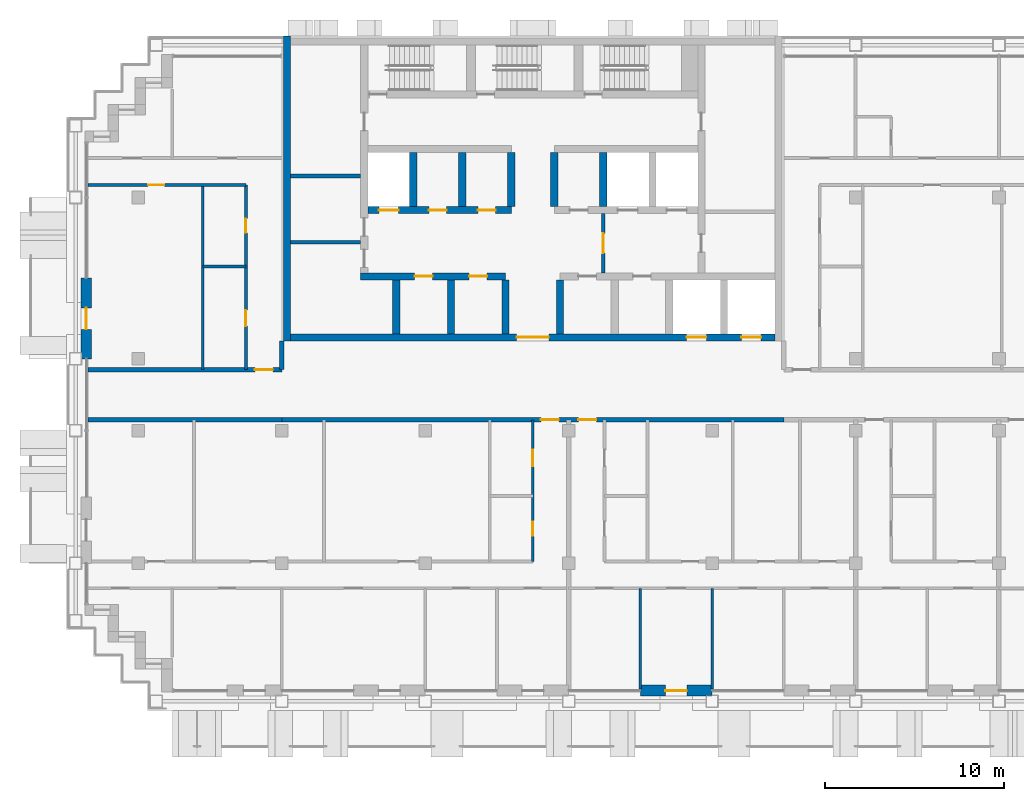
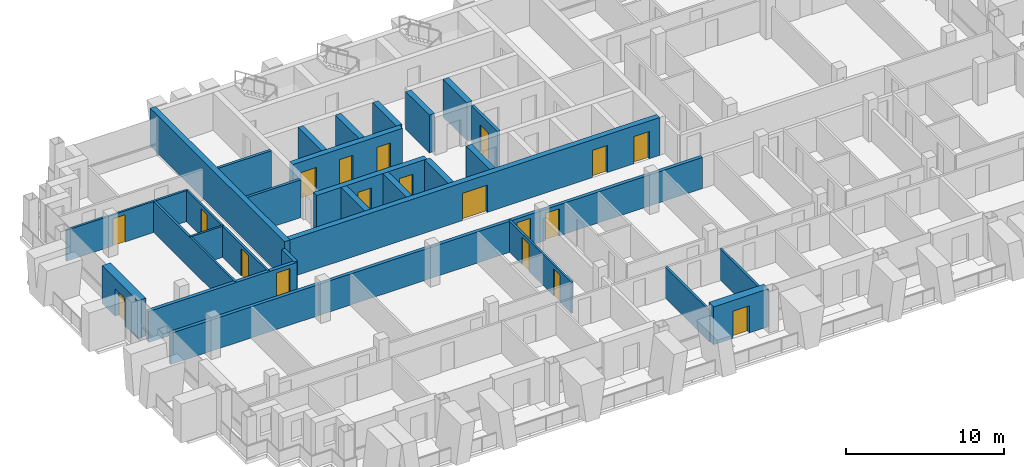
# One storey, part 8 of 16: 29 walls, 19 doors, 19 openings.
"""IFC4 building model written with IfcOpenShell, lengths in metres."""

from ifc_helpers import new_model, si_unit, direction, frame, frame_2d, origin, place, context, subcontext, project, spatial, rectangle, extrude, material, layer, layer_set, type_object, element, fill, save


model = new_model("IFC4")

# Units and contexts
model_context = context("Model", 3, precision=1e-05, world=origin(), true_north=direction((0.0, 1.0)))
body_context = subcontext(model_context, "Body", "Model", "MODEL_VIEW")
ifc_project = project(units=[si_unit("LENGTHUNIT", "METRE"), si_unit("AREAUNIT", "SQUARE_METRE"), si_unit("VOLUMEUNIT", "CUBIC_METRE"), si_unit("PLANEANGLEUNIT", "RADIAN"), si_unit("MASSUNIT", "GRAM", prefix="KILO")], contexts=[model_context])

# Site, building, storey
site_placement = place(None, origin())
site = spatial("IfcSite", under=ifc_project, at=site_placement, CompositionType="ELEMENT")
building_placement = place(site_placement, origin())
building = spatial("IfcBuilding", under=site, at=building_placement, Name="Vidyagriha Tower", CompositionType="ELEMENT")
storey_placement = place(building_placement, frame((0.0, 0.0, 181.300048828125)))
storey = spatial("IfcBuildingStorey", under=building, at=storey_placement, Name="L47", CompositionType="ELEMENT", Elevation=181.300048828125)

# Wall, opening, door
ifc_material_1 = material(Name="Precast concrete C40/50 with brick facing", Category="concrete")
ifc_layer_1 = layer(ifc_material_1, 0.60009765625)
ifc_layer_set_1 = layer_set([ifc_layer_1], Name="Precast concrete C40/50 with brick facing")
wall_type_1 = type_object("IfcWallType", Name="Brick-faced precast wall 600", PredefinedType="STANDARD", material=ifc_layer_set_1)
wall_1_placement = place(storey_placement, frame((-24.89990234375, 6.5, 0.0), z_axis=(0.0, 0.0, 1.0), x_axis=(0.0, -1.0, 0.0)))
wall_1 = element("IfcWall", 1, at=wall_1_placement, inside=storey, type_object=wall_type_1, Name="Brick door bay wall L47 R16.3", PredefinedType="STANDARD", context=body_context, shape_type="SweptSolid", body=[
    extrude(rectangle(XDim=4.5, YDim=0.60009765625, at=frame_2d((2.25, 0.0))), origin(), (0.0, 0.0, 1.0), 2.919921875),
])
opening_1_placement = place(wall_1_placement, frame((1.64990234375, 0.0, 0.0)))
opening_1 = element("IfcOpeningElement", 2, at=opening_1_placement, cuts=wall_1, Name="Opening D47-69", PredefinedType="OPENING", context=body_context, shape_type="SweptSolid", body=[
    extrude(rectangle(XDim=1.199951171875, YDim=2.10009765625, at=frame_2d((0.60009765625, 1.050048828125))), frame((0.0, 0.31005859375, 0.0), z_axis=(0.0, -1.0, 0.0), x_axis=(1.0, 0.0, 0.0)), (0.0, 0.0, 1.0), 0.6201171875),
])
ifc_material_2 = material(Name="Aluminium framed glazed sliding door", Category="aluminium")
door_type_1 = type_object("IfcDoorType", Name="Balcony sliding door 1200x2100", OperationType="NOTDEFINED", PredefinedType="DOOR", material=ifc_material_2)
door_1_placement = place(opening_1_placement, origin())
door_1 = element("IfcDoor", 3, at=door_1_placement, inside=storey, type_object=door_type_1, Name="Door D47-69", OperationType="SLIDING_TO_LEFT", OverallHeight=2.10009765625, OverallWidth=1.199951171875, PredefinedType="DOOR", context=body_context, shape_type="SweptSolid", body=[
    extrude(rectangle(XDim=1.199951171875, YDim=2.10009765625, at=frame_2d((0.60009765625, 1.050048828125))), frame((0.0, 0.02490234375, 0.0), z_axis=(0.0, -1.0, 0.0), x_axis=(1.0, 0.0, 0.0)), (0.0, 0.0, 1.0), 0.050048828125),
])
fill(opening_1, door_1)

wall_2_placement = place(storey_placement, frame((6.0, -16.5, 0.0)))
wall_2 = element("IfcWall", 4, at=wall_2_placement, inside=storey, type_object=wall_type_1, Name="Brick door bay wall L47 R23.8", PredefinedType="STANDARD", context=body_context, shape_type="SweptSolid", body=[
    extrude(rectangle(XDim=4.0, YDim=0.60009765625, at=frame_2d((2.0, 0.0))), origin(), (0.0, 0.0, 1.0), 2.919921875),
])
opening_2_placement = place(wall_2_placement, frame((1.39990234375, 0.0, 0.0)))
opening_2 = element("IfcOpeningElement", 5, at=opening_2_placement, cuts=wall_2, Name="Opening D47-74", PredefinedType="OPENING", context=body_context, shape_type="SweptSolid", body=[
    extrude(rectangle(XDim=1.199951171875, YDim=2.10009765625, at=frame_2d((0.60009765625, 1.050048828125))), frame((0.0, 0.31005859375, 0.0), z_axis=(0.0, -1.0, 0.0), x_axis=(1.0, 0.0, 0.0)), (0.0, 0.0, 1.0), 0.6201171875),
])
door_2_placement = place(opening_2_placement, origin())
door_2 = element("IfcDoor", 6, at=door_2_placement, inside=storey, type_object=door_type_1, Name="Door D47-74", OperationType="SLIDING_TO_LEFT", OverallHeight=2.10009765625, OverallWidth=1.199951171875, PredefinedType="DOOR", context=body_context, shape_type="SweptSolid", body=[
    extrude(rectangle(XDim=1.199951171875, YDim=2.10009765625, at=frame_2d((0.60009765625, 1.050048828125))), frame((0.0, 0.02490234375, 0.0), z_axis=(0.0, -1.0, 0.0), x_axis=(1.0, 0.0, 0.0)), (0.0, 0.0, 1.0), 0.050048828125),
])
fill(opening_2, door_2)

# Wall
ifc_material_3 = material(Name="Concrete C60/75", Category="concrete")
ifc_layer_2 = layer(ifc_material_3, 0.39990234375)
ifc_layer_set_2 = layer_set([ifc_layer_2], Name="Concrete C60/75")
wall_type_2 = type_object("IfcWallType", Name="Core shear wall 400 mm", PredefinedType="SHEAR", material=ifc_layer_set_2)
wall_3_placement = place(storey_placement, frame((-13.699951171875, 3.0, 0.0), z_axis=(0.0, 0.0, 1.0), x_axis=(0.0, 1.0, 0.0)))
element("IfcWall", 7, at=wall_3_placement, inside=storey, type_object=wall_type_2, Name="Core west wall", PredefinedType="SHEAR", context=body_context, shape_type="SweptSolid", body=[
    extrude(rectangle(XDim=17.0, YDim=0.39990234375, at=frame_2d((8.5, 0.0))), origin(), (0.0, 0.0, 1.0), 2.919921875),
])

# Wall, openings, doors
wall_4_placement = place(storey_placement, frame((-13.5, 3.199951171875, 0.0)))
wall_4 = element("IfcWall", 8, at=wall_4_placement, inside=storey, type_object=wall_type_2, Name="Core front wall", PredefinedType="SHEAR", context=body_context, shape_type="SweptSolid", body=[
    extrude(rectangle(XDim=27.0, YDim=0.39990234375, at=frame_2d((13.5, 0.0))), origin(), (0.0, 0.0, 1.0), 2.919921875),
])
opening_3_placement = place(wall_4_placement, frame((22.083251953125, 0.0, 0.0)))
opening_3 = element("IfcOpeningElement", 9, at=opening_3_placement, cuts=wall_4, Name="Opening LD47-01", PredefinedType="OPENING", context=body_context, shape_type="SweptSolid", body=[
    extrude(rectangle(XDim=1.10009765625, YDim=2.10009765625, at=frame_2d((0.550048828125, 1.050048828125))), frame((0.0, 0.2099609375, 0.0), z_axis=(0.0, -1.0, 0.0), x_axis=(1.0, 0.0, 0.0)), (0.0, 0.0, 1.0), 0.419921875),
])
opening_4_placement = place(wall_4_placement, frame((25.127685546875, 0.0, 0.0)))
opening_4 = element("IfcOpeningElement", 10, at=opening_4_placement, cuts=wall_4, Name="Opening LD47-02", PredefinedType="OPENING", context=body_context, shape_type="SweptSolid", body=[
    extrude(rectangle(XDim=1.10009765625, YDim=2.10009765625, at=frame_2d((0.550048828125, 1.050048828125))), frame((0.0, 0.2099609375, 0.0), z_axis=(0.0, -1.0, 0.0), x_axis=(1.0, 0.0, 0.0)), (0.0, 0.0, 1.0), 0.419921875),
])
opening_5_placement = place(wall_4_placement, frame((12.60009765625, 0.0, 0.0)))
opening_5 = element("IfcOpeningElement", 11, at=opening_5_placement, cuts=wall_4, Name="Opening D47-01", PredefinedType="OPENING", context=body_context, shape_type="SweptSolid", body=[
    extrude(rectangle(XDim=1.800048828125, YDim=2.10009765625, at=frame_2d((0.89990234375, 1.050048828125))), frame((0.0, 0.2099609375, 0.0), z_axis=(0.0, -1.0, 0.0), x_axis=(1.0, 0.0, 0.0)), (0.0, 0.0, 1.0), 0.419921875),
])
ifc_material_4 = material(Name="Hollow metal door leaf")
door_type_2 = type_object("IfcDoorType", Name="Core lobby double door 1800 x 2100 mm EI 60", OperationType="NOTDEFINED", PredefinedType="DOOR", material=ifc_material_4)
door_3_placement = place(opening_5_placement, frame((1.800048828125, 0.0, 0.0), z_axis=(0.0, 0.0, 1.0), x_axis=(-1.0, 0.0, 0.0)))
door_3 = element("IfcDoor", 12, at=door_3_placement, inside=storey, type_object=door_type_2, Name="Core entrance door L47", OperationType="DOUBLE_DOOR_SINGLE_SWING", OverallHeight=2.10009765625, OverallWidth=1.800048828125, PredefinedType="DOOR", context=body_context, shape_type="SweptSolid", body=[
    extrude(rectangle(XDim=1.800048828125, YDim=2.10009765625, at=frame_2d((0.89990234375, 1.050048828125))), frame((0.0, 0.02490234375, 0.0), z_axis=(0.0, -1.0, 0.0), x_axis=(1.0, 0.0, 0.0)), (0.0, 0.0, 1.0), 0.050048828125),
])
fill(opening_5, door_3)
ifc_material_5 = material(Name="Stainless steel sliding door panel", Category="steel")
door_type_3 = type_object("IfcDoorType", Name="Lift landing door 1100 x 2100 mm EI 90", OperationType="NOTDEFINED", PredefinedType="DOOR", material=ifc_material_5)
door_4_placement = place(opening_3_placement, origin())
door_4 = element("IfcDoor", 13, at=door_4_placement, inside=storey, type_object=door_type_3, Name="Landing door MR1 L47", OperationType="SLIDING_TO_LEFT", OverallHeight=2.10009765625, OverallWidth=1.10009765625, PredefinedType="DOOR", context=body_context, shape_type="SweptSolid", body=[
    extrude(rectangle(XDim=1.10009765625, YDim=2.10009765625, at=frame_2d((0.550048828125, 1.050048828125))), frame((0.0, 0.02490234375, 0.0), z_axis=(0.0, -1.0, 0.0), x_axis=(1.0, 0.0, 0.0)), (0.0, 0.0, 1.0), 0.050048828125),
])
fill(opening_3, door_4)
door_5_placement = place(opening_4_placement, origin())
door_5 = element("IfcDoor", 14, at=door_5_placement, inside=storey, type_object=door_type_3, Name="Landing door MR2 L47", OperationType="SLIDING_TO_LEFT", OverallHeight=2.10009765625, OverallWidth=1.10009765625, PredefinedType="DOOR", context=body_context, shape_type="SweptSolid", body=[
    extrude(rectangle(XDim=1.10009765625, YDim=2.10009765625, at=frame_2d((0.550048828125, 1.050048828125))), frame((0.0, 0.02490234375, 0.0), z_axis=(0.0, -1.0, 0.0), x_axis=(1.0, 0.0, 0.0)), (0.0, 0.0, 1.0), 0.050048828125),
])
fill(opening_4, door_5)

wall_5_placement = place(storey_placement, frame((-9.60009765625, 6.60009765625, 0.0)))
wall_5 = element("IfcWall", 15, at=wall_5_placement, inside=storey, type_object=wall_type_2, Name="Core lobby south wall west", PredefinedType="SHEAR", context=body_context, shape_type="SweptSolid", body=[
    extrude(rectangle(XDim=8.077880859375, YDim=0.39990234375, at=frame_2d((4.0390625, 0.0))), origin(), (0.0, 0.0, 1.0), 2.919921875),
])
opening_6_placement = place(wall_5_placement, frame((3.010986328125, 0.0, 0.0)))
opening_6 = element("IfcOpeningElement", 16, at=opening_6_placement, cuts=wall_5, Name="Opening D47-02", PredefinedType="OPENING", context=body_context, shape_type="SweptSolid", body=[
    extrude(rectangle(XDim=1.0, YDim=2.10009765625, at=frame_2d((0.5, 1.050048828125))), frame((0.0, 0.2099609375, 0.0), z_axis=(0.0, -1.0, 0.0), x_axis=(1.0, 0.0, 0.0)), (0.0, 0.0, 1.0), 0.419921875),
])
opening_7_placement = place(wall_5_placement, frame((6.0556640625, 0.0, 0.0)))
opening_7 = element("IfcOpeningElement", 17, at=opening_7_placement, cuts=wall_5, Name="Opening D47-03", PredefinedType="OPENING", context=body_context, shape_type="SweptSolid", body=[
    extrude(rectangle(XDim=1.0, YDim=2.10009765625, at=frame_2d((0.5, 1.050048828125))), frame((0.0, 0.2099609375, 0.0), z_axis=(0.0, -1.0, 0.0), x_axis=(1.0, 0.0, 0.0)), (0.0, 0.0, 1.0), 0.419921875),
])
ifc_material_6 = material(Name="Hollow metal door leaf")
door_type_4 = type_object("IfcDoorType", Name="Core room door 1000 x 2100 mm EI 60", OperationType="NOTDEFINED", PredefinedType="DOOR", material=ifc_material_6)
door_6_placement = place(opening_6_placement, origin())
door_6 = element("IfcDoor", 18, at=door_6_placement, inside=storey, type_object=door_type_4, Name="Door Pressurisation Plant Room 47.01", OperationType="SINGLE_SWING_RIGHT", OverallHeight=2.10009765625, OverallWidth=1.0, PredefinedType="DOOR", context=body_context, shape_type="SweptSolid", body=[
    extrude(rectangle(XDim=1.0, YDim=2.10009765625, at=frame_2d((0.5, 1.050048828125))), frame((0.0, 0.02490234375, 0.0), z_axis=(0.0, -1.0, 0.0), x_axis=(1.0, 0.0, 0.0)), (0.0, 0.0, 1.0), 0.050048828125),
])
fill(opening_6, door_6)
door_7_placement = place(opening_7_placement, origin())
door_7 = element("IfcDoor", 19, at=door_7_placement, inside=storey, type_object=door_type_4, Name="Door Pressurisation Plant Room 47.02", OperationType="SINGLE_SWING_RIGHT", OverallHeight=2.10009765625, OverallWidth=1.0, PredefinedType="DOOR", context=body_context, shape_type="SweptSolid", body=[
    extrude(rectangle(XDim=1.0, YDim=2.10009765625, at=frame_2d((0.5, 1.050048828125))), frame((0.0, 0.02490234375, 0.0), z_axis=(0.0, -1.0, 0.0), x_axis=(1.0, 0.0, 0.0)), (0.0, 0.0, 1.0), 0.050048828125),
])
fill(opening_7, door_7)

# Walls
for number, where, z_axis, x_axis, name in (
    (20, (-7.611083984375, 3.39990234375, 0.0), (0.0, 0.0, 1.0), (0.0, 1.0, 0.0), "Core bay wall S2"),
    (21, (-4.566650390625, 3.39990234375, 0.0), (0.0, 0.0, 1.0), (0.0, 1.0, 0.0), "Core bay wall S3"),
    (22, (-1.522216796875, 3.39990234375, 0.0), (0.0, 0.0, 1.0), (0.0, 1.0, 0.0), "Core bay wall S4"),
    (23, (1.522216796875, 3.39990234375, 0.0), (0.0, 0.0, 1.0), (0.0, 1.0, 0.0), "Core bay wall S5"),
):
    element("IfcWall", number, at=place(storey_placement, frame(where, z_axis=z_axis, x_axis=x_axis)), inside=storey, type_object=wall_type_2, Name=name, PredefinedType="SHEAR", context=body_context, shape_type="SweptSolid", body=[
        extrude(rectangle(XDim=3.0, YDim=0.39990234375, at=frame_2d((1.5, 0.0))), origin(), (0.0, 0.0, 1.0), 2.919921875),
    ])

# Wall, openings, doors
wall_6_placement = place(storey_placement, frame((-9.199951171875, 10.300048828125, 0.0)))
wall_6 = element("IfcWall", 24, at=wall_6_placement, inside=storey, type_object=wall_type_2, Name="Core row N front wall", PredefinedType="SHEAR", context=body_context, shape_type="SweptSolid", body=[
    extrude(rectangle(XDim=8.0, YDim=0.39990234375, at=frame_2d((4.0, 0.0))), origin(), (0.0, 0.0, 1.0), 2.919921875),
])
opening_8_placement = place(wall_6_placement, frame((0.61669921875, 0.0, 0.0)))
opening_8 = element("IfcOpeningElement", 25, at=opening_8_placement, cuts=wall_6, Name="Opening LD47-03", PredefinedType="OPENING", context=body_context, shape_type="SweptSolid", body=[
    extrude(rectangle(XDim=1.10009765625, YDim=2.10009765625, at=frame_2d((0.550048828125, 1.050048828125))), frame((0.0, 0.2099609375, 0.0), z_axis=(0.0, -1.0, 0.0), x_axis=(1.0, 0.0, 0.0)), (0.0, 0.0, 1.0), 0.419921875),
])
opening_9_placement = place(wall_6_placement, frame((3.39990234375, 0.0, 0.0)))
opening_9 = element("IfcOpeningElement", 26, at=opening_9_placement, cuts=wall_6, Name="Opening D47-06", PredefinedType="OPENING", context=body_context, shape_type="SweptSolid", body=[
    extrude(rectangle(XDim=1.0, YDim=2.10009765625, at=frame_2d((0.5, 1.050048828125))), frame((0.0, 0.2099609375, 0.0), z_axis=(0.0, -1.0, 0.0), x_axis=(1.0, 0.0, 0.0)), (0.0, 0.0, 1.0), 0.419921875),
])
opening_10_placement = place(wall_6_placement, frame((6.13330078125, 0.0, 0.0)))
opening_10 = element("IfcOpeningElement", 27, at=opening_10_placement, cuts=wall_6, Name="Opening D47-07", PredefinedType="OPENING", context=body_context, shape_type="SweptSolid", body=[
    extrude(rectangle(XDim=1.0, YDim=2.10009765625, at=frame_2d((0.5, 1.050048828125))), frame((0.0, 0.2099609375, 0.0), z_axis=(0.0, -1.0, 0.0), x_axis=(1.0, 0.0, 0.0)), (0.0, 0.0, 1.0), 0.419921875),
])
door_8_placement = place(opening_9_placement, frame((1.0, 0.0, 0.0), z_axis=(0.0, 0.0, 1.0), x_axis=(-1.0, 0.0, 0.0)))
door_8 = element("IfcDoor", 28, at=door_8_placement, inside=storey, type_object=door_type_4, Name="Door Communications Room 47.14", OperationType="SINGLE_SWING_RIGHT", OverallHeight=2.10009765625, OverallWidth=1.0, PredefinedType="DOOR", context=body_context, shape_type="SweptSolid", body=[
    extrude(rectangle(XDim=1.0, YDim=2.10009765625, at=frame_2d((0.5, 1.050048828125))), frame((0.0, 0.02490234375, 0.0), z_axis=(0.0, -1.0, 0.0), x_axis=(1.0, 0.0, 0.0)), (0.0, 0.0, 1.0), 0.050048828125),
])
fill(opening_9, door_8)
door_9_placement = place(opening_10_placement, frame((1.0, 0.0, 0.0), z_axis=(0.0, 0.0, 1.0), x_axis=(-1.0, 0.0, 0.0)))
door_9 = element("IfcDoor", 29, at=door_9_placement, inside=storey, type_object=door_type_4, Name="Door Refuse Room 47.15", OperationType="SINGLE_SWING_LEFT", OverallHeight=2.10009765625, OverallWidth=1.0, PredefinedType="DOOR", context=body_context, shape_type="SweptSolid", body=[
    extrude(rectangle(XDim=1.0, YDim=2.10009765625, at=frame_2d((0.5, 1.050048828125))), frame((0.0, 0.02490234375, 0.0), z_axis=(0.0, -1.0, 0.0), x_axis=(1.0, 0.0, 0.0)), (0.0, 0.0, 1.0), 0.050048828125),
])
fill(opening_10, door_9)
door_10_placement = place(opening_8_placement, origin())
door_10 = element("IfcDoor", 30, at=door_10_placement, inside=storey, type_object=door_type_3, Name="Landing door MR3 L47", OperationType="SLIDING_TO_LEFT", OverallHeight=2.10009765625, OverallWidth=1.10009765625, PredefinedType="DOOR", context=body_context, shape_type="SweptSolid", body=[
    extrude(rectangle(XDim=1.10009765625, YDim=2.10009765625, at=frame_2d((0.550048828125, 1.050048828125))), frame((0.0, 0.02490234375, 0.0), z_axis=(0.0, -1.0, 0.0), x_axis=(1.0, 0.0, 0.0)), (0.0, 0.0, 1.0), 0.050048828125),
])
fill(opening_8, door_10)

# Walls
for number, where, z_axis, x_axis, name in (
    (31, (-6.666748046875, 10.5, 0.0), (0.0, 0.0, 1.0), (0.0, 1.0, 0.0), "Core bay wall N1"),
    (32, (-3.933349609375, 10.5, 0.0), (0.0, 0.0, 1.0), (0.0, 1.0, 0.0), "Core bay wall N2"),
    (33, (-1.199951171875, 10.5, 0.0), (0.0, 0.0, 1.0), (0.0, 1.0, 0.0), "Core bay wall N3"),
    (34, (1.199951171875, 10.5, 0.0), (0.0, 0.0, 1.0), (0.0, 1.0, 0.0), "Core bay wall N4"),
    (35, (3.933349609375, 10.5, 0.0), (0.0, 0.0, 1.0), (0.0, 1.0, 0.0), "Core bay wall N5"),
):
    element("IfcWall", number, at=place(storey_placement, frame(where, z_axis=z_axis, x_axis=x_axis)), inside=storey, type_object=wall_type_2, Name=name, PredefinedType="SHEAR", context=body_context, shape_type="SweptSolid", body=[
        extrude(rectangle(XDim=3.0, YDim=0.39990234375, at=frame_2d((1.5, 0.0))), origin(), (0.0, 0.0, 1.0), 2.919921875),
    ])
ifc_material_7 = material(Name="Fired clay brick masonry", Category="masonry")
ifc_layer_3 = layer(ifc_material_7, 0.25)
ifc_layer_set_3 = layer_set([ifc_layer_3], Name="Fired clay brick masonry")
wall_type_3 = type_object("IfcWallType", Name="Fired clay brick corridor wall 250", PredefinedType="PARTITIONING", material=ifc_layer_set_3)
wall_7_placement = place(storey_placement, frame((-14.0, -1.39990234375, 0.0), z_axis=(0.0, 0.0, 1.0), x_axis=(-1.0, 0.0, 0.0)))
element("IfcWall", 36, at=wall_7_placement, inside=storey, type_object=wall_type_3, Name="Wall all-L47-w070", PredefinedType="PARTITIONING", context=body_context, shape_type="SweptSolid", body=[
    extrude(rectangle(XDim=10.820068359375, YDim=0.25, at=frame_2d((5.41015625, 0.0))), origin(), (0.0, 0.0, 1.0), 2.39990234375),
])

# Wall, opening, door
wall_8_placement = place(storey_placement, frame((-24.820068359375, 1.39990234375, 0.0)))
wall_8 = element("IfcWall", 37, at=wall_8_placement, inside=storey, type_object=wall_type_3, Name="Wall all-L47-w085", PredefinedType="PARTITIONING", context=body_context, shape_type="SweptSolid", body=[
    extrude(rectangle(XDim=10.820068359375, YDim=0.25, at=frame_2d((5.41015625, 0.0))), origin(), (0.0, 0.0, 1.0), 2.39990234375),
])
opening_11_placement = place(wall_8_placement, frame((9.320068359375, 0.0, 0.0)))
opening_11 = element("IfcOpeningElement", 38, at=opening_11_placement, cuts=wall_8, Name="Opening D47-56", PredefinedType="OPENING", context=body_context, shape_type="SweptSolid", body=[
    extrude(rectangle(XDim=1.0, YDim=2.10009765625, at=frame_2d((0.5, 1.050048828125))), frame((0.0, 0.135009765625, 0.0), z_axis=(0.0, -1.0, 0.0), x_axis=(1.0, 0.0, 0.0)), (0.0, 0.0, 1.0), 0.27001953125),
])
ifc_material_8 = material(Name="Fire-rated timber door leaf EI 60", Category="wood")
door_type_5 = type_object("IfcDoorType", Name="Flat entrance fire door 1000x2100", OperationType="NOTDEFINED", PredefinedType="DOOR", material=ifc_material_8)
door_11_placement = place(opening_11_placement, origin())
door_11 = element("IfcDoor", 39, at=door_11_placement, inside=storey, type_object=door_type_5, Name="Door D47-56", OperationType="SINGLE_SWING_RIGHT", OverallHeight=2.10009765625, OverallWidth=1.0, PredefinedType="DOOR", context=body_context, shape_type="SweptSolid", body=[
    extrude(rectangle(XDim=1.0, YDim=2.10009765625, at=frame_2d((0.5, 1.050048828125))), frame((0.0, 0.02490234375, 0.0), z_axis=(0.0, -1.0, 0.0), x_axis=(1.0, 0.0, 0.0)), (0.0, 0.0, 1.0), 0.050048828125),
])
fill(opening_11, door_11)

# Wall, openings, doors
wall_9_placement = place(storey_placement, frame((14.0, -1.39990234375, 0.0), z_axis=(0.0, 0.0, 1.0), x_axis=(-1.0, 0.0, 0.0)))
wall_9 = element("IfcWall", 40, at=wall_9_placement, inside=storey, type_object=wall_type_3, Name="Wall all-L47-w113", PredefinedType="PARTITIONING", context=body_context, shape_type="SweptSolid", body=[
    extrude(rectangle(XDim=28.0, YDim=0.25, at=frame_2d((14.0, 0.0))), origin(), (0.0, 0.0, 1.0), 2.39990234375),
])
opening_12_placement = place(wall_9_placement, frame((12.547119140625, 0.0, 0.0)))
opening_12 = element("IfcOpeningElement", 41, at=opening_12_placement, cuts=wall_9, Name="Opening D47-28", PredefinedType="OPENING", context=body_context, shape_type="SweptSolid", body=[
    extrude(rectangle(XDim=1.0, YDim=2.10009765625, at=frame_2d((0.5, 1.050048828125))), frame((0.0, 0.135009765625, 0.0), z_axis=(0.0, -1.0, 0.0), x_axis=(1.0, 0.0, 0.0)), (0.0, 0.0, 1.0), 0.27001953125),
])
opening_13_placement = place(wall_9_placement, frame((10.452880859375, 0.0, 0.0)))
opening_13 = element("IfcOpeningElement", 42, at=opening_13_placement, cuts=wall_9, Name="Opening D47-38", PredefinedType="OPENING", context=body_context, shape_type="SweptSolid", body=[
    extrude(rectangle(XDim=1.0, YDim=2.10009765625, at=frame_2d((0.5, 1.050048828125))), frame((0.0, 0.135009765625, 0.0), z_axis=(0.0, -1.0, 0.0), x_axis=(1.0, 0.0, 0.0)), (0.0, 0.0, 1.0), 0.27001953125),
])
door_12_placement = place(opening_12_placement, origin())
door_12 = element("IfcDoor", 43, at=door_12_placement, inside=storey, type_object=door_type_5, Name="Door D47-28", OperationType="SINGLE_SWING_LEFT", OverallHeight=2.10009765625, OverallWidth=1.0, PredefinedType="DOOR", context=body_context, shape_type="SweptSolid", body=[
    extrude(rectangle(XDim=1.0, YDim=2.10009765625, at=frame_2d((0.5, 1.050048828125))), frame((0.0, 0.02490234375, 0.0), z_axis=(0.0, -1.0, 0.0), x_axis=(1.0, 0.0, 0.0)), (0.0, 0.0, 1.0), 0.050048828125),
])
fill(opening_12, door_12)
door_13_placement = place(opening_13_placement, origin())
door_13 = element("IfcDoor", 44, at=door_13_placement, inside=storey, type_object=door_type_5, Name="Door D47-38", OperationType="SINGLE_SWING_RIGHT", OverallHeight=2.10009765625, OverallWidth=1.0, PredefinedType="DOOR", context=body_context, shape_type="SweptSolid", body=[
    extrude(rectangle(XDim=1.0, YDim=2.10009765625, at=frame_2d((0.5, 1.050048828125))), frame((0.0, 0.02490234375, 0.0), z_axis=(0.0, -1.0, 0.0), x_axis=(1.0, 0.0, 0.0)), (0.0, 0.0, 1.0), 0.050048828125),
])
fill(opening_13, door_13)

# Walls
wall_10_placement = place(storey_placement, frame((-14.0, 3.0, 0.0), z_axis=(0.0, 0.0, 1.0), x_axis=(0.0, -1.0, 0.0)))
element("IfcWall", 45, at=wall_10_placement, inside=storey, type_object=wall_type_3, Name="Wall all-L47-w114", PredefinedType="PARTITIONING", context=body_context, shape_type="SweptSolid", body=[
    extrude(rectangle(XDim=1.60009765625, YDim=0.25, at=frame_2d((0.800048828125, 0.0))), origin(), (0.0, 0.0, 1.0), 2.39990234375),
])
ifc_material_9 = material(Name="Gypsum board partition")
ifc_layer_4 = layer(ifc_material_9, 0.14990234375)
ifc_layer_set_4 = layer_set([ifc_layer_4], Name="Gypsum board partition")
wall_type_4 = type_object("IfcWallType", Name="Gypsum board partition 150", PredefinedType="PARTITIONING", material=ifc_layer_set_4)
wall_11_placement = place(storey_placement, frame((6.0, -10.800048828125, 0.0), z_axis=(0.0, 0.0, 1.0), x_axis=(0.0, -1.0, 0.0)))
element("IfcWall", 46, at=wall_11_placement, inside=storey, type_object=wall_type_4, Name="Wall all-L47-w039", PredefinedType="PARTITIONING", context=body_context, shape_type="SweptSolid", body=[
    extrude(rectangle(XDim=5.620849609375, YDim=0.14990234375, at=frame_2d((2.810546875, 0.0))), origin(), (0.0, 0.0, 1.0), 2.39990234375),
])
wall_12_placement = place(storey_placement, frame((10.0, -10.800048828125, 0.0), z_axis=(0.0, 0.0, 1.0), x_axis=(0.0, -1.0, 0.0)))
element("IfcWall", 47, at=wall_12_placement, inside=storey, type_object=wall_type_4, Name="Wall all-L47-w040", PredefinedType="PARTITIONING", context=body_context, shape_type="SweptSolid", body=[
    extrude(rectangle(XDim=5.60986328125, YDim=0.14990234375, at=frame_2d((2.804931640625, 0.0))), origin(), (0.0, 0.0, 1.0), 2.39990234375),
])
wall_13_placement = place(storey_placement, frame((-18.39990234375, 7.14990234375, 0.0)))
element("IfcWall", 48, at=wall_13_placement, inside=storey, type_object=wall_type_4, Name="Wall all-L47-w076", PredefinedType="PARTITIONING", context=body_context, shape_type="SweptSolid", body=[
    extrude(rectangle(XDim=2.39990234375, YDim=0.14990234375, at=frame_2d((1.199951171875, 0.0))), origin(), (0.0, 0.0, 1.0), 2.39990234375),
])
wall_14_placement = place(storey_placement, frame((-18.39990234375, 1.39990234375, 0.0), z_axis=(0.0, 0.0, 1.0), x_axis=(0.0, 1.0, 0.0)))
element("IfcWall", 49, at=wall_14_placement, inside=storey, type_object=wall_type_4, Name="Wall all-L47-w077", PredefinedType="PARTITIONING", context=body_context, shape_type="SweptSolid", body=[
    extrude(rectangle(XDim=10.300048828125, YDim=0.14990234375, at=frame_2d((5.14990234375, 0.0))), origin(), (0.0, 0.0, 1.0), 2.39990234375),
])

# Wall, opening, door
wall_15_placement = place(storey_placement, frame((-16.0, 11.699951171875, 0.0), z_axis=(0.0, 0.0, 1.0), x_axis=(-1.0, 0.0, 0.0)))
wall_15 = element("IfcWall", 50, at=wall_15_placement, inside=storey, type_object=wall_type_4, Name="Wall all-L47-w078", PredefinedType="PARTITIONING", context=body_context, shape_type="SweptSolid", body=[
    extrude(rectangle(XDim=8.820068359375, YDim=0.14990234375, at=frame_2d((4.41015625, 0.0))), origin(), (0.0, 0.0, 1.0), 2.39990234375),
])
opening_14_placement = place(wall_15_placement, frame((4.552978515625, 0.0, 0.0)))
opening_14 = element("IfcOpeningElement", 51, at=opening_14_placement, cuts=wall_15, Name="Opening D47-53", PredefinedType="OPENING", context=body_context, shape_type="SweptSolid", body=[
    extrude(rectangle(XDim=0.89990234375, YDim=2.10009765625, at=frame_2d((0.449951171875, 1.050048828125))), frame((0.0, 0.0849609375, 0.0), z_axis=(0.0, -1.0, 0.0), x_axis=(1.0, 0.0, 0.0)), (0.0, 0.0, 1.0), 0.169921875),
])
ifc_material_10 = material(Name="Timber door leaf", Category="wood")
door_type_6 = type_object("IfcDoorType", Name="Room door 900x2100", OperationType="NOTDEFINED", PredefinedType="DOOR", material=ifc_material_10)
door_14_placement = place(opening_14_placement, origin())
door_14 = element("IfcDoor", 52, at=door_14_placement, inside=storey, type_object=door_type_6, Name="Door D47-53", OperationType="SINGLE_SWING_LEFT", OverallHeight=2.10009765625, OverallWidth=0.89990234375, PredefinedType="DOOR", context=body_context, shape_type="SweptSolid", body=[
    extrude(rectangle(XDim=0.89990234375, YDim=2.10009765625, at=frame_2d((0.449951171875, 1.050048828125))), frame((0.0, 0.02490234375, 0.0), z_axis=(0.0, -1.0, 0.0), x_axis=(1.0, 0.0, 0.0)), (0.0, 0.0, 1.0), 0.050048828125),
])
fill(opening_14, door_14)

# Wall, openings, doors
ifc_material_11 = material(Name="Moisture resistant gypsum board partition")
ifc_layer_5 = layer(ifc_material_11, 0.14990234375)
ifc_layer_set_5 = layer_set([ifc_layer_5], Name="Moisture resistant gypsum board partition")
wall_type_5 = type_object("IfcWallType", Name="Gypsum board wet-area partition 150", PredefinedType="PARTITIONING", material=ifc_layer_set_5)
wall_16_placement = place(storey_placement, frame((0.0, -9.300048828125, 0.0), z_axis=(0.0, 0.0, 1.0), x_axis=(0.0, 1.0, 0.0)))
wall_16 = element("IfcWall", 53, at=wall_16_placement, inside=storey, type_object=wall_type_5, Name="Wall all-L47-w001", PredefinedType="PARTITIONING", context=body_context, shape_type="SweptSolid", body=[
    extrude(rectangle(XDim=7.900146484375, YDim=0.14990234375, at=frame_2d((3.9501953125, 0.0))), origin(), (0.0, 0.0, 1.0), 2.39990234375),
])
opening_15_placement = place(wall_16_placement, frame((5.324951171875, 0.0, 0.0)))
opening_15 = element("IfcOpeningElement", 54, at=opening_15_placement, cuts=wall_16, Name="Opening D47-18", PredefinedType="OPENING", context=body_context, shape_type="SweptSolid", body=[
    extrude(rectangle(XDim=0.89990234375, YDim=2.10009765625, at=frame_2d((0.449951171875, 1.050048828125))), frame((0.0, 0.0849609375, 0.0), z_axis=(0.0, -1.0, 0.0), x_axis=(1.0, 0.0, 0.0)), (0.0, 0.0, 1.0), 0.169921875),
])
opening_16_placement = place(wall_16_placement, frame((1.425048828125, 0.0, 0.0)))
opening_16 = element("IfcOpeningElement", 55, at=opening_16_placement, cuts=wall_16, Name="Opening D47-19", PredefinedType="OPENING", context=body_context, shape_type="SweptSolid", body=[
    extrude(rectangle(XDim=0.800048828125, YDim=2.10009765625, at=frame_2d((0.39990234375, 1.050048828125))), frame((0.0, 0.0849609375, 0.0), z_axis=(0.0, -1.0, 0.0), x_axis=(1.0, 0.0, 0.0)), (0.0, 0.0, 1.0), 0.169921875),
])
ifc_material_12 = material(Name="Timber door leaf", Category="wood")
door_type_7 = type_object("IfcDoorType", Name="Bathroom door 800x2100", OperationType="NOTDEFINED", PredefinedType="DOOR", material=ifc_material_12)
door_15_placement = place(opening_16_placement, origin())
door_15 = element("IfcDoor", 56, at=door_15_placement, inside=storey, type_object=door_type_7, Name="Door D47-19", OperationType="SINGLE_SWING_RIGHT", OverallHeight=2.10009765625, OverallWidth=0.800048828125, PredefinedType="DOOR", context=body_context, shape_type="SweptSolid", body=[
    extrude(rectangle(XDim=0.800048828125, YDim=2.10009765625, at=frame_2d((0.39990234375, 1.050048828125))), frame((0.0, 0.02490234375, 0.0), z_axis=(0.0, -1.0, 0.0), x_axis=(1.0, 0.0, 0.0)), (0.0, 0.0, 1.0), 0.050048828125),
])
fill(opening_16, door_15)
ifc_material_13 = material(Name="Timber door leaf", Category="wood")
door_type_8 = type_object("IfcDoorType", Name="Kitchen door 900x2100", OperationType="NOTDEFINED", PredefinedType="DOOR", material=ifc_material_13)
door_16_placement = place(opening_15_placement, origin())
door_16 = element("IfcDoor", 57, at=door_16_placement, inside=storey, type_object=door_type_8, Name="Door D47-18", OperationType="SINGLE_SWING_LEFT", OverallHeight=2.10009765625, OverallWidth=0.89990234375, PredefinedType="DOOR", context=body_context, shape_type="SweptSolid", body=[
    extrude(rectangle(XDim=0.89990234375, YDim=2.10009765625, at=frame_2d((0.449951171875, 1.050048828125))), frame((0.0, 0.02490234375, 0.0), z_axis=(0.0, -1.0, 0.0), x_axis=(1.0, 0.0, 0.0)), (0.0, 0.0, 1.0), 0.050048828125),
])
fill(opening_15, door_16)

wall_17_placement = place(storey_placement, frame((-16.0, 1.39990234375, 0.0), z_axis=(0.0, 0.0, 1.0), x_axis=(0.0, 1.0, 0.0)))
wall_17 = element("IfcWall", 58, at=wall_17_placement, inside=storey, type_object=wall_type_5, Name="Wall all-L47-w073", PredefinedType="PARTITIONING", context=body_context, shape_type="SweptSolid", body=[
    extrude(rectangle(XDim=10.300048828125, YDim=0.14990234375, at=frame_2d((5.14990234375, 0.0))), origin(), (0.0, 0.0, 1.0), 2.39990234375),
])
opening_17_placement = place(wall_17_placement, frame((2.425048828125, 0.0, 0.0)))
opening_17 = element("IfcOpeningElement", 59, at=opening_17_placement, cuts=wall_17, Name="Opening D47-51", PredefinedType="OPENING", context=body_context, shape_type="SweptSolid", body=[
    extrude(rectangle(XDim=0.89990234375, YDim=2.10009765625, at=frame_2d((0.449951171875, 1.050048828125))), frame((0.0, 0.0849609375, 0.0), z_axis=(0.0, -1.0, 0.0), x_axis=(1.0, 0.0, 0.0)), (0.0, 0.0, 1.0), 0.169921875),
])
opening_18_placement = place(wall_17_placement, frame((7.625, 0.0, 0.0)))
opening_18 = element("IfcOpeningElement", 60, at=opening_18_placement, cuts=wall_17, Name="Opening D47-52", PredefinedType="OPENING", context=body_context, shape_type="SweptSolid", body=[
    extrude(rectangle(XDim=0.800048828125, YDim=2.10009765625, at=frame_2d((0.39990234375, 1.050048828125))), frame((0.0, 0.0849609375, 0.0), z_axis=(0.0, -1.0, 0.0), x_axis=(1.0, 0.0, 0.0)), (0.0, 0.0, 1.0), 0.169921875),
])
door_17_placement = place(opening_18_placement, origin())
door_17 = element("IfcDoor", 61, at=door_17_placement, inside=storey, type_object=door_type_7, Name="Door D47-52", OperationType="SINGLE_SWING_RIGHT", OverallHeight=2.10009765625, OverallWidth=0.800048828125, PredefinedType="DOOR", context=body_context, shape_type="SweptSolid", body=[
    extrude(rectangle(XDim=0.800048828125, YDim=2.10009765625, at=frame_2d((0.39990234375, 1.050048828125))), frame((0.0, 0.02490234375, 0.0), z_axis=(0.0, -1.0, 0.0), x_axis=(1.0, 0.0, 0.0)), (0.0, 0.0, 1.0), 0.050048828125),
])
fill(opening_18, door_17)
door_18_placement = place(opening_17_placement, origin())
door_18 = element("IfcDoor", 62, at=door_18_placement, inside=storey, type_object=door_type_8, Name="Door D47-51", OperationType="SINGLE_SWING_RIGHT", OverallHeight=2.10009765625, OverallWidth=0.89990234375, PredefinedType="DOOR", context=body_context, shape_type="SweptSolid", body=[
    extrude(rectangle(XDim=0.89990234375, YDim=2.10009765625, at=frame_2d((0.449951171875, 1.050048828125))), frame((0.0, 0.02490234375, 0.0), z_axis=(0.0, -1.0, 0.0), x_axis=(1.0, 0.0, 0.0)), (0.0, 0.0, 1.0), 0.050048828125),
])
fill(opening_17, door_18)

# Wall, opening, door
ifc_material_14 = material(Name="Blockwork 15 MPa", Category="masonry")
ifc_layer_6 = layer(ifc_material_14, 0.199951171875)
ifc_layer_set_6 = layer_set([ifc_layer_6], Name="Blockwork 15 MPa")
wall_type_6 = type_object("IfcWallType", Name="Service room partition 200 mm", PredefinedType="PARTITIONING", material=ifc_layer_set_6)
wall_18_placement = place(storey_placement, frame((3.933349609375, 6.800048828125, 0.0), z_axis=(0.0, 0.0, 1.0), x_axis=(0.0, 1.0, 0.0)))
wall_18 = element("IfcWall", 63, at=wall_18_placement, inside=storey, type_object=wall_type_6, Name="Fire-fighting lobby west wall", PredefinedType="PARTITIONING", context=body_context, shape_type="SweptSolid", body=[
    extrude(rectangle(XDim=3.300048828125, YDim=0.199951171875, at=frame_2d((1.64990234375, 0.0))), origin(), (0.0, 0.0, 1.0), 2.919921875),
])
opening_19_placement = place(wall_18_placement, frame((1.10009765625, 0.0, 0.0)))
opening_19 = element("IfcOpeningElement", 64, at=opening_19_placement, cuts=wall_18, Name="Opening D47-09", PredefinedType="OPENING", context=body_context, shape_type="SweptSolid", body=[
    extrude(rectangle(XDim=1.10009765625, YDim=2.10009765625, at=frame_2d((0.550048828125, 1.050048828125))), frame((0.0, 0.10986328125, 0.0), z_axis=(0.0, -1.0, 0.0), x_axis=(1.0, 0.0, 0.0)), (0.0, 0.0, 1.0), 0.219970703125),
])
ifc_material_15 = material(Name="Hollow metal door leaf")
door_type_9 = type_object("IfcDoorType", Name="Fire-fighting lobby door 1100 x 2100 mm EI 90", OperationType="NOTDEFINED", PredefinedType="DOOR", material=ifc_material_15)
door_19_placement = place(opening_19_placement, origin())
door_19 = element("IfcDoor", 65, at=door_19_placement, inside=storey, type_object=door_type_9, Name="Fire-fighting lobby door L47", OperationType="SINGLE_SWING_RIGHT", OverallHeight=2.10009765625, OverallWidth=1.10009765625, PredefinedType="DOOR", context=body_context, shape_type="SweptSolid", body=[
    extrude(rectangle(XDim=1.10009765625, YDim=2.10009765625, at=frame_2d((0.550048828125, 1.050048828125))), frame((0.0, 0.02490234375, 0.0), z_axis=(0.0, -1.0, 0.0), x_axis=(1.0, 0.0, 0.0)), (0.0, 0.0, 1.0), 0.050048828125),
])
fill(opening_19, door_19)

# Walls
for number, where, name in (
    (66, (-13.5, 8.5, 0.0), "Core room partition W1"),
    (67, (-13.5, 12.199951171875, 0.0), "Core room partition W2"),
):
    element("IfcWall", number, at=place(storey_placement, frame(where)), inside=storey, type_object=wall_type_6, Name=name, PredefinedType="PARTITIONING", context=body_context, shape_type="SweptSolid", body=[
        extrude(rectangle(XDim=3.89990234375, YDim=0.199951171875, at=frame_2d((1.949951171875, 0.0))), origin(), (0.0, 0.0, 1.0), 2.919921875),
    ])

save(model, "model.ifc")
